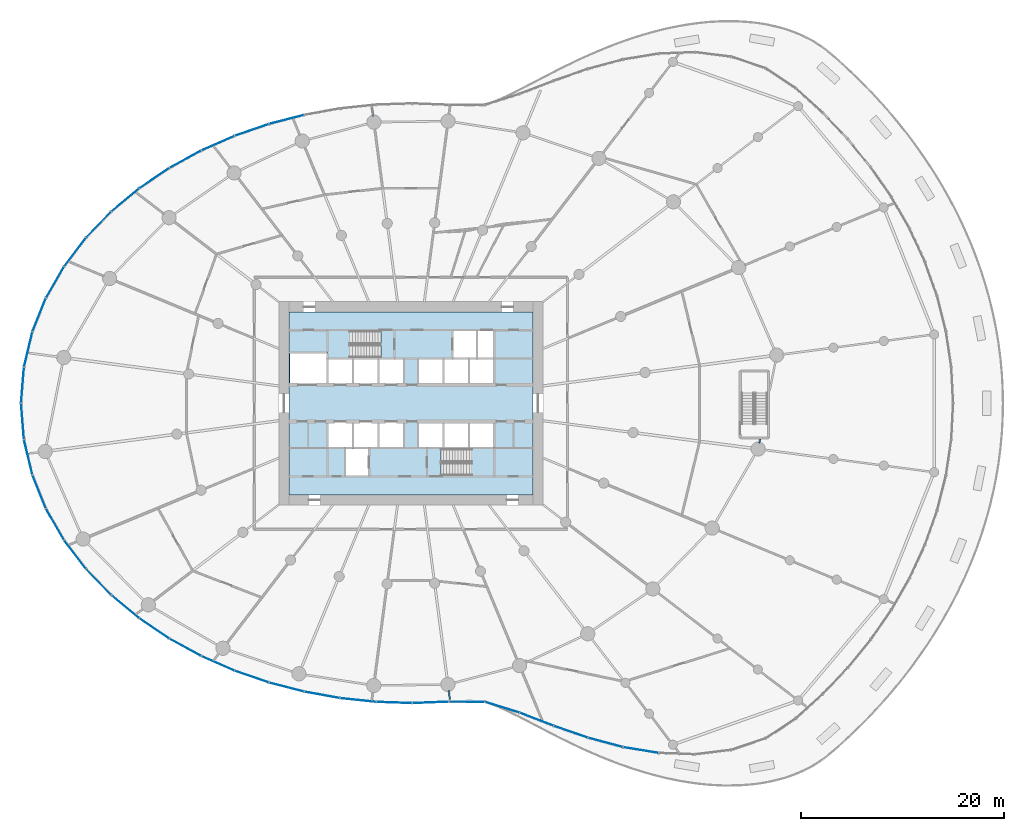
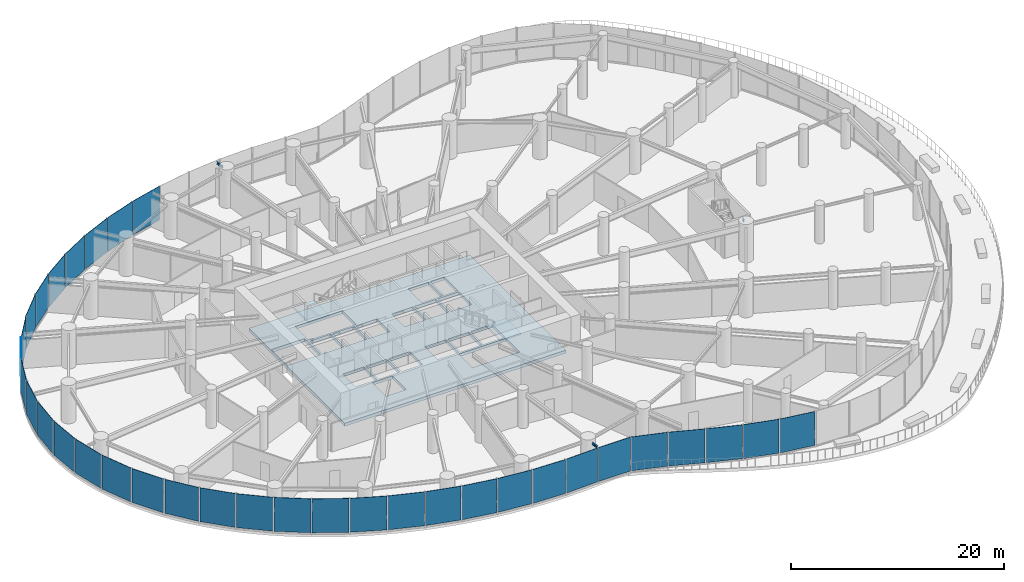
# One storey, part 11 of 24: 34 plates, 3 beams, 3 slabs, 8 elements without a shape of their own.
"""IFC4 building model written with IfcOpenShell, lengths in metres."""

from ifc_helpers import new_model, si_unit, direction, frame, origin, origin_2d, place, context, subcontext, project, spatial, line, indexed_curve, rectangle, i_section, outline, extrude, source, transform, mapped, material, layer, layer_set, material_profile, profile_set, type_object, element, aggregate, save


model = new_model("IFC4")

# Units and contexts
model_context = context("Model", 3, precision=1e-05, world=origin(), true_north=direction((0.0, 1.0)))
body_context = subcontext(model_context, "Body", "Model", "MODEL_VIEW")
ifc_project = project(units=[si_unit("LENGTHUNIT", "METRE"), si_unit("AREAUNIT", "SQUARE_METRE"), si_unit("VOLUMEUNIT", "CUBIC_METRE"), si_unit("PLANEANGLEUNIT", "RADIAN"), si_unit("MASSUNIT", "GRAM", prefix="KILO")], contexts=[model_context])

# Site, building, storey
site_placement = place(None, origin())
site = spatial("IfcSite", under=ifc_project, at=site_placement, CompositionType="ELEMENT")
building_placement = place(site_placement, origin())
building = spatial("IfcBuilding", under=site, at=building_placement, Name="Spindrift Exchange Tower", CompositionType="ELEMENT")
storey_placement = place(building_placement, frame((0.0, 0.0, 5.0)))
storey = spatial("IfcBuildingStorey", under=building, at=storey_placement, Name="L01", CompositionType="ELEMENT", Elevation=5.0)

# Beams
ifc_material_1 = material(Name="Steel Grade 300", Category="steel")
ifc_material_profile_1 = material_profile(ifc_material_1, i_section(OverallWidth=0.14599609375, OverallDepth=0.251953125, WebThickness=0.006103515625, FlangeThickness=0.008544921875, FilletRadius=0.011962890625, at=origin_2d()), Name="250UB31.4")
ifc_profile_set_1 = profile_set([ifc_material_profile_1], Name="Steel Grade 300")
beam_type_1 = type_object("IfcBeamType", Name="Cantilever Beam 250UB31.4 Steel Grade 300", PredefinedType="BEAM", material=ifc_profile_set_1)
shared_shape_1 = source(origin(), body_context, "Body", "SweptSolid", [
    extrude(i_section(OverallWidth=0.14599609375, OverallDepth=0.251953125, WebThickness=0.006103515625, FlangeThickness=0.008544921875, FilletRadius=0.011962890625, at=origin_2d()), origin(), (0.0, 0.0, 1.0), 0.892333984375),
])
for number, where, z_axis, x_axis, name in (
    (1, (48.28271484375, 76.236328125, 3.924072265625), (-0.130765879186, 0.99141327651, 0.0), (-0.99141327651, -0.130765879186, 0.0), "L01 cantilever beam R07T"),
    (2, (55.71728515625, 19.763671875, 3.924072265625), (0.130765879186, -0.99141327651, 0.0), (0.99141327651, 0.130765879186, 0.0), "L01 cantilever beam R19T"),
):
    element("IfcBeam", number, at=place(storey_placement, frame(where, z_axis=z_axis, x_axis=x_axis)), inside=storey, type_object=beam_type_1, Name=name, PredefinedType="BEAM", context=body_context, shape_type="MappedRepresentation", body=[
        mapped(shared_shape_1, transform((0.0, 0.0, 0.0), scale=1.0)),
    ])
ifc_material_profile_2 = material_profile(ifc_material_1, i_section(OverallWidth=0.14599609375, OverallDepth=0.251953125, WebThickness=0.006103515625, FlangeThickness=0.008544921875, FilletRadius=0.011962890625, at=origin_2d()), Name="250UB31.4")
ifc_profile_set_2 = profile_set([ifc_material_profile_2], Name="Steel Grade 300")
beam_type_2 = type_object("IfcBeamType", Name="Edge Beam 250UB31.4 Steel Grade 300", PredefinedType="SPANDREL", material=ifc_profile_set_2)
shared_shape_2 = source(origin(), body_context, "Body", "SweptSolid", [
    extrude(i_section(OverallWidth=0.14599609375, OverallDepth=0.251953125, WebThickness=0.006103515625, FlangeThickness=0.008544921875, FilletRadius=0.011962890625, at=origin_2d()), origin(), (0.0, 0.0, 1.0), 0.4169921875),
])
beam_placement = place(storey_placement, frame((86.27392578125, 44.071533203125, 3.924072265625), z_axis=(0.194426549489, 0.9809170795, 0.0), x_axis=(-0.9809170795, 0.194426549489, 0.0)))
element("IfcBeam", 3, at=beam_placement, inside=storey, type_object=beam_type_2, Name="L01 edge beam E24a", PredefinedType="SPANDREL", context=body_context, shape_type="MappedRepresentation", body=[
    mapped(shared_shape_2, transform((0.0, 0.0, 0.0), scale=1.0)),
])

# Slab
ifc_material_2 = material(Name="Concrete 50 MPa", Category="concrete")
ifc_layer_1 = layer(ifc_material_2, 0.35009765625)
ifc_layer_set_1 = layer_set([ifc_layer_1], Name="SL-CORE-FLOOR-350")
slab_type_1 = type_object("IfcSlabType", Name="SL-CORE-FLOOR-350", PredefinedType="FLOOR", material=ifc_layer_set_1)
slab_1_placement = place(storey_placement, frame((0.0, 0.0, -0.35009765625)))
element("IfcSlab", 4, at=slab_1_placement, inside=storey, type_object=slab_type_1, Name="L01 Core floor slab", PredefinedType="FLOOR", context=body_context, shape_type="SweptSolid", body=[
    extrude(outline(indexed_curve([(40.0, 39.0), (40.0, 57.0), (64.0, 57.0), (64.0, 39.0)], segments=[line(1, 2, 3, 4, 1)], self_intersect=False), holes=[indexed_curve([(47.800048828125, 43.5), (45.60009765625, 43.5), (45.60009765625, 40.89990234375), (47.800048828125, 40.89990234375)], segments=[line(1, 2, 3, 4, 1)], self_intersect=False), indexed_curve([(46.199951171875, 46.10009765625), (43.89990234375, 46.10009765625), (43.89990234375, 43.699951171875), (46.199951171875, 43.699951171875)], segments=[line(1, 2, 3, 4, 1)], self_intersect=False), indexed_curve([(48.699951171875, 46.10009765625), (46.39990234375, 46.10009765625), (46.39990234375, 43.699951171875), (48.699951171875, 43.699951171875)], segments=[line(1, 2, 3, 4, 1)], self_intersect=False), indexed_curve([(51.199951171875, 46.10009765625), (48.89990234375, 46.10009765625), (48.89990234375, 43.699951171875), (51.199951171875, 43.699951171875)], segments=[line(1, 2, 3, 4, 1)], self_intersect=False), indexed_curve([(46.199951171875, 52.300048828125), (43.89990234375, 52.300048828125), (43.89990234375, 49.89990234375), (46.199951171875, 49.89990234375)], segments=[line(1, 2, 3, 4, 1)], self_intersect=False), indexed_curve([(48.699951171875, 52.300048828125), (46.39990234375, 52.300048828125), (46.39990234375, 49.89990234375), (48.699951171875, 49.89990234375)], segments=[line(1, 2, 3, 4, 1)], self_intersect=False), indexed_curve([(51.199951171875, 52.300048828125), (48.89990234375, 52.300048828125), (48.89990234375, 49.89990234375), (51.199951171875, 49.89990234375)], segments=[line(1, 2, 3, 4, 1)], self_intersect=False), indexed_curve([(55.10009765625, 49.89990234375), (55.10009765625, 52.300048828125), (52.800048828125, 52.300048828125), (52.800048828125, 49.89990234375)], segments=[line(1, 2, 3, 4, 1)], self_intersect=False), indexed_curve([(43.699951171875, 49.89990234375), (43.699951171875, 52.89990234375), (40.10009765625, 52.89990234375), (40.10009765625, 49.89990234375)], segments=[line(1, 2, 3, 4, 1)], self_intersect=False), indexed_curve([(43.906005859375, 55.093994140625), (43.906005859375, 52.506103515625), (49.0439453125, 52.506103515625), (49.0439453125, 55.093994140625)], segments=[line(1, 2, 3, 4, 1)], self_intersect=False), indexed_curve([(60.093994140625, 40.906005859375), (60.093994140625, 43.493896484375), (54.9560546875, 43.493896484375), (54.9560546875, 40.906005859375)], segments=[line(1, 2, 3, 4, 1)], self_intersect=False), indexed_curve([(55.10009765625, 46.10009765625), (52.800048828125, 46.10009765625), (52.800048828125, 43.699951171875), (55.10009765625, 43.699951171875)], segments=[line(1, 2, 3, 4, 1)], self_intersect=False), indexed_curve([(57.60009765625, 43.699951171875), (57.60009765625, 46.10009765625), (55.300048828125, 46.10009765625), (55.300048828125, 43.699951171875)], segments=[line(1, 2, 3, 4, 1)], self_intersect=False), indexed_curve([(60.10009765625, 43.699951171875), (60.10009765625, 46.10009765625), (57.800048828125, 46.10009765625), (57.800048828125, 43.699951171875)], segments=[line(1, 2, 3, 4, 1)], self_intersect=False), indexed_curve([(57.60009765625, 52.300048828125), (55.300048828125, 52.300048828125), (55.300048828125, 49.89990234375), (57.60009765625, 49.89990234375)], segments=[line(1, 2, 3, 4, 1)], self_intersect=False), indexed_curve([(60.10009765625, 52.300048828125), (57.800048828125, 52.300048828125), (57.800048828125, 49.89990234375), (60.10009765625, 49.89990234375)], segments=[line(1, 2, 3, 4, 1)], self_intersect=False), indexed_curve([(58.39990234375, 52.5), (58.39990234375, 55.10009765625), (56.199951171875, 55.10009765625), (56.199951171875, 52.5)], segments=[line(1, 2, 3, 4, 1)], self_intersect=False), indexed_curve([(60.10009765625, 52.5), (60.10009765625, 55.10009765625), (58.60009765625, 55.10009765625), (58.60009765625, 52.5)], segments=[line(1, 2, 3, 4, 1)], self_intersect=False)]), origin(), (0.0, 0.0, 1.0), 0.35009765625),
])

# Stair, slab
stair_type = type_object("IfcStairType", Name="ST-1250-R183", PredefinedType="HALF_TURN_STAIR", material=ifc_material_2)
stair_1_placement = place(storey_placement, origin())
stair_1 = element("IfcStair", 5, at=stair_1_placement, inside=storey, type_object=stair_type, Name="L01 Exit stair ST1", PredefinedType="HALF_TURN_STAIR")
ifc_layer_2 = layer(ifc_material_2, 0.199951171875)
ifc_layer_set_2 = layer_set([ifc_layer_2], Name="SL-LANDING")
slab_type_2 = type_object("IfcSlabType", Name="SL-LANDING", PredefinedType="LANDING", material=ifc_layer_set_2)
slab_2_placement = place(storey_placement, frame((0.0, 0.0, 2.0)))
slab_2 = element("IfcSlab", 6, at=slab_2_placement, type_object=slab_type_2, Name="ST1 landing 1", PredefinedType="LANDING", context=body_context, shape_type="SweptSolid", body=[
    extrude(outline(indexed_curve([(46.050048828125, 52.39990234375), (43.800048828125, 52.39990234375), (43.800048828125, 55.199951171875), (46.050048828125, 55.199951171875)], segments=[line(1, 2, 3, 4, 1)], self_intersect=False)), origin(), (0.0, 0.0, 1.0), 0.199951171875),
])
aggregate(stair_1, [slab_2])

stair_2_placement = place(storey_placement, origin())
stair_2 = element("IfcStair", 7, at=stair_2_placement, inside=storey, type_object=stair_type, Name="L01 Exit stair ST2", PredefinedType="HALF_TURN_STAIR")
slab_3_placement = place(storey_placement, frame((0.0, 0.0, 2.0)))
slab_3 = element("IfcSlab", 8, at=slab_3_placement, type_object=slab_type_2, Name="ST2 landing 1", PredefinedType="LANDING", context=body_context, shape_type="SweptSolid", body=[
    extrude(outline(indexed_curve([(57.949951171875, 43.60009765625), (60.199951171875, 43.60009765625), (60.199951171875, 40.800048828125), (57.949951171875, 40.800048828125)], segments=[line(1, 2, 3, 4, 1)], self_intersect=False)), origin(), (0.0, 0.0, 1.0), 0.199951171875),
])
aggregate(stair_2, [slab_3])

# Curtain wall, plate
ifc_material_3 = material(Name="Fritted laminated glass with bronze frame", Category="glass")
ifc_layer_3 = layer(ifc_material_3, 0.219970703125)
ifc_layer_set_3 = layer_set([ifc_layer_3], Name="PODIUM BRONZE GLAZED WALL")
curtain_wall_type = type_object("IfcCurtainWallType", Name="PODIUM BRONZE GLAZED WALL", PredefinedType="NOTDEFINED", material=ifc_layer_set_3)
curtain_wall_1_placement = place(storey_placement, origin())
curtain_wall_1 = element("IfcCurtainWall", 9, at=curtain_wall_1_placement, inside=storey, type_object=curtain_wall_type, Name="L01 Podium Bronze Glazed Wall run 5", PredefinedType="NOTDEFINED")
ifc_material_4 = material(Name="Bronze fritted laminated glass, close frit", Category="glass")
ifc_layer_4 = layer(ifc_material_4, 0.0400390625)
ifc_layer_set_4 = layer_set([ifc_layer_4], Name="PODIUM BRONZE GLAZED WALL PANEL CLOSE FRIT 300")
plate_type_1 = type_object("IfcPlateType", Name="PODIUM BRONZE GLAZED WALL PANEL CLOSE FRIT 300", PredefinedType="CURTAIN_PANEL", material=ifc_layer_set_4)
shared_shape_3 = source(origin(), body_context, "Body", "SweptSolid", [
    extrude(rectangle(XDim=3.48583984375, YDim=0.0400390625, at=origin_2d()), origin(), (0.0, 0.0, 1.0), 3.889892578125),
])
plate_1_placement = place(storey_placement, frame((23.899658203125, 68.012939453125, 0.16015625), z_axis=(0.0, 0.0, 1.0), x_axis=(-0.769130805694, -0.639091389187, 0.0)))
plate_1 = element("IfcPlate", 10, at=plate_1_placement, type_object=plate_type_1, Name="L01 panel CW-P.30", PredefinedType="CURTAIN_PANEL", context=body_context, shape_type="MappedRepresentation", body=[
    mapped(shared_shape_3, transform((0.0, 0.0, 0.0), scale=1.0)),
])

curtain_wall_2_placement = place(storey_placement, origin())
curtain_wall_2 = element("IfcCurtainWall", 11, at=curtain_wall_2_placement, inside=storey, type_object=curtain_wall_type, Name="L01 Podium Bronze Glazed Wall run 8", PredefinedType="NOTDEFINED")
plate_2_placement = place(storey_placement, frame((23.899658203125, 27.987060546875, 0.16015625), z_axis=(0.0, 0.0, 1.0), x_axis=(0.769130805694, -0.639091389187, 0.0)))
plate_2 = element("IfcPlate", 12, at=plate_2_placement, type_object=plate_type_1, Name="L01 panel CW-P.43", PredefinedType="CURTAIN_PANEL", context=body_context, shape_type="MappedRepresentation", body=[
    mapped(shared_shape_3, transform((0.0, 0.0, 0.0), scale=1.0)),
])

# Plate
shared_shape_4 = source(origin(), body_context, "Body", "SweptSolid", [
    extrude(rectangle(XDim=3.486083984375, YDim=0.0400390625, at=origin_2d()), origin(), (0.0, 0.0, 1.0), 3.889892578125),
])
plate_3_placement = place(storey_placement, frame((26.75732421875, 70.1552734375, 0.16015625), z_axis=(0.0, 0.0, 1.0), x_axis=(-0.829117594074, -0.559074248375, 0.0)))
plate_3 = element("IfcPlate", 13, at=plate_3_placement, type_object=plate_type_1, Name="L01 panel CW-P.29", PredefinedType="CURTAIN_PANEL", context=body_context, shape_type="MappedRepresentation", body=[
    mapped(shared_shape_4, transform((0.0, 0.0, 0.0), scale=1.0)),
])

plate_4_placement = place(storey_placement, frame((26.75732421875, 25.8447265625, 0.16015625), z_axis=(0.0, 0.0, 1.0), x_axis=(0.829117594074, -0.559074248375, 0.0)))
plate_4 = element("IfcPlate", 14, at=plate_4_placement, type_object=plate_type_1, Name="L01 panel CW-P.44", PredefinedType="CURTAIN_PANEL", context=body_context, shape_type="MappedRepresentation", body=[
    mapped(shared_shape_4, transform((0.0, 0.0, 0.0), scale=1.0)),
])

shared_shape_5 = source(origin(), body_context, "Body", "SweptSolid", [
    extrude(rectangle(XDim=3.486328125, YDim=0.0400390625, at=origin_2d()), origin(), (0.0, 0.0, 1.0), 3.889892578125),
])
plate_5_placement = place(storey_placement, frame((29.80859375, 72.0126953125, 0.16015625), z_axis=(0.0, 0.0, 1.0), x_axis=(-0.877392463765, -0.479773347038, 0.0)))
plate_5 = element("IfcPlate", 15, at=plate_5_placement, type_object=plate_type_1, Name="L01 panel CW-P.28", PredefinedType="CURTAIN_PANEL", context=body_context, shape_type="MappedRepresentation", body=[
    mapped(shared_shape_5, transform((0.0, 0.0, 0.0), scale=1.0)),
])

plate_6_placement = place(storey_placement, frame((29.80859375, 23.9873046875, 0.16015625), z_axis=(0.0, 0.0, 1.0), x_axis=(0.877392463765, -0.479773347038, 0.0)))
plate_6 = element("IfcPlate", 16, at=plate_6_placement, type_object=plate_type_1, Name="L01 panel CW-P.45", PredefinedType="CURTAIN_PANEL", context=body_context, shape_type="MappedRepresentation", body=[
    mapped(shared_shape_5, transform((0.0, 0.0, 0.0), scale=1.0)),
])

ifc_layer_5 = layer(ifc_material_4, 0.0400390625)
ifc_layer_set_5 = layer_set([ifc_layer_5], Name="PODIUM BRONZE GLAZED WALL PANEL CLOSE FRIT 540")
plate_type_2 = type_object("IfcPlateType", Name="PODIUM BRONZE GLAZED WALL PANEL CLOSE FRIT 540", PredefinedType="CURTAIN_PANEL", material=ifc_layer_set_5)
shared_shape_6 = source(origin(), body_context, "Body", "SweptSolid", [
    extrude(rectangle(XDim=3.48681640625, YDim=0.0400390625, at=origin_2d()), origin(), (0.0, 0.0, 1.0), 3.889892578125),
])
plate_7_placement = place(storey_placement, frame((39.7646484375, 75.922607421875, 0.16015625), z_axis=(0.0, 0.0, 1.0), x_axis=(-0.968026479474, -0.250848031758, 0.0)))
plate_7 = element("IfcPlate", 17, at=plate_7_placement, type_object=plate_type_2, Name="L01 panel CW-P.25", PredefinedType="CURTAIN_PANEL", context=body_context, shape_type="MappedRepresentation", body=[
    mapped(shared_shape_6, transform((0.0, 0.0, 0.0), scale=1.0)),
])

plate_8_placement = place(storey_placement, frame((39.7646484375, 20.077392578125, 0.16015625), z_axis=(0.0, 0.0, 1.0), x_axis=(0.968026479474, -0.250848031758, 0.0)))
plate_8 = element("IfcPlate", 18, at=plate_8_placement, type_object=plate_type_2, Name="L01 panel CW-P.48", PredefinedType="CURTAIN_PANEL", context=body_context, shape_type="MappedRepresentation", body=[
    mapped(shared_shape_6, transform((0.0, 0.0, 0.0), scale=1.0)),
])

# Curtain wall, plate
curtain_wall_3_placement = place(storey_placement, origin())
curtain_wall_3 = element("IfcCurtainWall", 19, at=curtain_wall_3_placement, inside=storey, type_object=curtain_wall_type, Name="L01 Podium Bronze Glazed Wall run 9", PredefinedType="NOTDEFINED")
plate_9_placement = place(storey_placement, frame((53.9345703125, 18.5703125, 0.16015625), z_axis=(0.0, 0.0, 1.0), x_axis=(0.99924566483, 0.038834280197, 0.0)))
plate_9 = element("IfcPlate", 20, at=plate_9_placement, type_object=plate_type_2, Name="L01 panel CW-P.52", PredefinedType="CURTAIN_PANEL", context=body_context, shape_type="MappedRepresentation", body=[
    mapped(shared_shape_6, transform((0.0, 0.0, 0.0), scale=1.0)),
])

# Curtain wall, plates
curtain_wall_4_placement = place(storey_placement, origin())
curtain_wall_4 = element("IfcCurtainWall", 21, at=curtain_wall_4_placement, inside=storey, type_object=curtain_wall_type, Name="L01 Podium Bronze Glazed Wall run 10", PredefinedType="NOTDEFINED")
shared_shape_7 = source(origin(), body_context, "Body", "SweptSolid", [
    extrude(rectangle(XDim=3.4853515625, YDim=0.0400390625, at=origin_2d()), origin(), (0.0, 0.0, 1.0), 3.889892578125),
])
plate_10_placement = place(storey_placement, frame((74.62646484375, 13.884521484375, 0.16015625), z_axis=(0.0, 0.0, 1.0), x_axis=(0.986933448224, -0.161128423243, 0.0)))
plate_10 = element("IfcPlate", 22, at=plate_10_placement, type_object=plate_type_1, Name="L01 panel CW-P.58", PredefinedType="CURTAIN_PANEL", context=body_context, shape_type="MappedRepresentation", body=[
    mapped(shared_shape_7, transform((0.0, 0.0, 0.0), scale=1.0)),
])
ifc_layer_6 = layer(ifc_material_4, 0.0400390625)
ifc_layer_set_6 = layer_set([ifc_layer_6], Name="PODIUM BRONZE GLAZED WALL PANEL CLOSE FRIT 420")
plate_type_3 = type_object("IfcPlateType", Name="PODIUM BRONZE GLAZED WALL PANEL CLOSE FRIT 420", PredefinedType="CURTAIN_PANEL", material=ifc_layer_set_6)
shared_shape_8 = source(origin(), body_context, "Body", "SweptSolid", [
    extrude(rectangle(XDim=3.486328125, YDim=0.0400390625, at=origin_2d()), origin(), (0.0, 0.0, 1.0), 3.889892578125),
])
plate_11_placement = place(storey_placement, frame((71.134765625, 14.635009765625, 0.16015625), z_axis=(0.0, 0.0, 1.0), x_axis=(0.965994454414, -0.258562785491, 0.0)))
plate_11 = element("IfcPlate", 23, at=plate_11_placement, type_object=plate_type_3, Name="L01 panel CW-P.57", PredefinedType="CURTAIN_PANEL", context=body_context, shape_type="MappedRepresentation", body=[
    mapped(shared_shape_8, transform((0.0, 0.0, 0.0), scale=1.0)),
])
shared_shape_9 = source(origin(), body_context, "Body", "SweptSolid", [
    extrude(rectangle(XDim=3.487548828125, YDim=0.0400390625, at=origin_2d()), origin(), (0.0, 0.0, 1.0), 3.889892578125),
])
plate_12_placement = place(storey_placement, frame((64.360595703125, 16.91748046875, 0.16015625), z_axis=(0.0, 0.0, 1.0), x_axis=(0.933126213422, -0.35954898112, 0.0)))
plate_12 = element("IfcPlate", 24, at=plate_12_placement, type_object=plate_type_1, Name="L01 panel CW-P.55", PredefinedType="CURTAIN_PANEL", context=body_context, shape_type="MappedRepresentation", body=[
    mapped(shared_shape_9, transform((0.0, 0.0, 0.0), scale=1.0)),
])

# Plate
shared_shape_10 = source(origin(), body_context, "Body", "SweptSolid", [
    extrude(rectangle(XDim=3.483642578125, YDim=0.0400390625, at=origin_2d()), origin(), (0.0, 0.0, 1.0), 3.889892578125),
])
plate_13_placement = place(storey_placement, frame((60.986083984375, 18.094482421875, 0.16015625), z_axis=(0.0, 0.0, 1.0), x_axis=(0.954324320709, -0.298772640821, 0.0)))
plate_13 = element("IfcPlate", 25, at=plate_13_placement, type_object=plate_type_2, Name="L01 panel CW-P.54", PredefinedType="CURTAIN_PANEL", context=body_context, shape_type="MappedRepresentation", body=[
    mapped(shared_shape_10, transform((0.0, 0.0, 0.0), scale=1.0)),
])

shared_shape_11 = source(origin(), body_context, "Body", "SweptSolid", [
    extrude(rectangle(XDim=3.46923828125, YDim=0.0400390625, at=origin_2d()), origin(), (0.0, 0.0, 1.0), 3.889892578125),
])
plate_14_placement = place(storey_placement, frame((57.501220703125, 18.634033203125, 0.16015625), z_axis=(0.0, 0.0, 1.0), x_axis=(0.999994871427, -0.003202673702, 0.0)))
plate_14 = element("IfcPlate", 26, at=plate_14_placement, type_object=plate_type_1, Name="L01 panel CW-P.53", PredefinedType="CURTAIN_PANEL", context=body_context, shape_type="MappedRepresentation", body=[
    mapped(shared_shape_11, transform((0.0, 0.0, 0.0), scale=1.0)),
])

shared_shape_12 = source(origin(), body_context, "Body", "SweptSolid", [
    extrude(rectangle(XDim=3.48681640625, YDim=0.0400390625, at=origin_2d()), origin(), (0.0, 0.0, 1.0), 3.889892578125),
])
plate_15_placement = place(storey_placement, frame((43.255859375, 19.311279296875, 0.16015625), z_axis=(0.0, 0.0, 1.0), x_axis=(0.984123822775, -0.177483242721, 0.0)))
plate_15 = element("IfcPlate", 27, at=plate_15_placement, type_object=plate_type_1, Name="L01 panel CW-P.49", PredefinedType="CURTAIN_PANEL", context=body_context, shape_type="MappedRepresentation", body=[
    mapped(shared_shape_12, transform((0.0, 0.0, 0.0), scale=1.0)),
])

plate_16_placement = place(storey_placement, frame((50.360107421875, 18.559814453125, 0.16015625), z_axis=(0.0, 0.0, 1.0), x_axis=(0.999457482979, -0.032935387007, 0.0)))
plate_16 = element("IfcPlate", 28, at=plate_16_placement, type_object=plate_type_1, Name="L01 panel CW-P.51", PredefinedType="CURTAIN_PANEL", context=body_context, shape_type="MappedRepresentation", body=[
    mapped(shared_shape_12, transform((0.0, 0.0, 0.0), scale=1.0)),
])

shared_shape_13 = source(origin(), body_context, "Body", "SweptSolid", [
    extrude(rectangle(XDim=3.48681640625, YDim=0.0400390625, at=origin_2d()), origin(), (0.0, 0.0, 1.0), 3.889892578125),
])
plate_17_placement = place(storey_placement, frame((46.794189453125, 18.806396484375, 0.16015625), z_axis=(0.0, 0.0, 1.0), x_axis=(0.994476557934, -0.104958923965, 0.0)))
plate_17 = element("IfcPlate", 29, at=plate_17_placement, type_object=plate_type_3, Name="L01 panel CW-P.50", PredefinedType="CURTAIN_PANEL", context=body_context, shape_type="MappedRepresentation", body=[
    mapped(shared_shape_13, transform((0.0, 0.0, 0.0), scale=1.0)),
])

aggregate(curtain_wall_3, [plate_15, plate_17, plate_16, plate_9, plate_14, plate_13])

shared_shape_14 = source(origin(), body_context, "Body", "SweptSolid", [
    extrude(rectangle(XDim=3.486572265625, YDim=0.0400390625, at=origin_2d()), origin(), (0.0, 0.0, 1.0), 3.889892578125),
])
plate_18_placement = place(storey_placement, frame((36.343017578125, 74.89111328125, 0.16015625), z_axis=(0.0, 0.0, 1.0), x_axis=(-0.94539577211, -0.325924583419, 0.0)))
plate_18 = element("IfcPlate", 30, at=plate_18_placement, type_object=plate_type_1, Name="L01 panel CW-P.26", PredefinedType="CURTAIN_PANEL", context=body_context, shape_type="MappedRepresentation", body=[
    mapped(shared_shape_14, transform((0.0, 0.0, 0.0), scale=1.0)),
])

shared_shape_15 = source(origin(), body_context, "Body", "SweptSolid", [
    extrude(rectangle(XDim=3.486328125, YDim=0.0400390625, at=origin_2d()), origin(), (0.0, 0.0, 1.0), 3.889892578125),
])
plate_19_placement = place(storey_placement, frame((33.014892578125, 73.589599609375, 0.16015625), z_axis=(0.0, 0.0, 1.0), x_axis=(-0.915651368483, -0.401973346623, 0.0)))
plate_19 = element("IfcPlate", 31, at=plate_19_placement, type_object=plate_type_2, Name="L01 panel CW-P.27", PredefinedType="CURTAIN_PANEL", context=body_context, shape_type="MappedRepresentation", body=[
    mapped(shared_shape_15, transform((0.0, 0.0, 0.0), scale=1.0)),
])

aggregate(curtain_wall_1, [plate_7, plate_18, plate_19, plate_5, plate_3, plate_1])

plate_20_placement = place(storey_placement, frame((33.014892578125, 22.410400390625, 0.16015625), z_axis=(0.0, 0.0, 1.0), x_axis=(0.915651368483, -0.401973346623, 0.0)))
plate_20 = element("IfcPlate", 32, at=plate_20_placement, type_object=plate_type_2, Name="L01 panel CW-P.46", PredefinedType="CURTAIN_PANEL", context=body_context, shape_type="MappedRepresentation", body=[
    mapped(shared_shape_15, transform((0.0, 0.0, 0.0), scale=1.0)),
])

# Curtain wall, plates
curtain_wall_5_placement = place(storey_placement, origin())
curtain_wall_5 = element("IfcCurtainWall", 33, at=curtain_wall_5_placement, inside=storey, type_object=curtain_wall_type, Name="L01 Podium Bronze Glazed Wall run 6", PredefinedType="NOTDEFINED")
shared_shape_16 = source(origin(), body_context, "Body", "SweptSolid", [
    extrude(rectangle(XDim=3.485595703125, YDim=0.0400390625, at=origin_2d()), origin(), (0.0, 0.0, 1.0), 3.889892578125),
])
plate_21_placement = place(storey_placement, frame((21.281005859375, 65.5859375, 0.16015625), z_axis=(0.0, 0.0, 1.0), x_axis=(-0.695589357406, -0.718439590963, 0.0)))
plate_21 = element("IfcPlate", 34, at=plate_21_placement, type_object=plate_type_2, Name="L01 panel CW-P.31", PredefinedType="CURTAIN_PANEL", context=body_context, shape_type="MappedRepresentation", body=[
    mapped(shared_shape_16, transform((0.0, 0.0, 0.0), scale=1.0)),
])
shared_shape_17 = source(origin(), body_context, "Body", "SweptSolid", [
    extrude(rectangle(XDim=3.485107421875, YDim=0.0400390625, at=origin_2d()), origin(), (0.0, 0.0, 1.0), 3.889892578125),
])
plate_22_placement = place(storey_placement, frame((18.95556640625, 62.87841796875, 0.16015625), z_axis=(0.0, 0.0, 1.0), x_axis=(-0.605170334324, -0.796096015851, 0.0)))
plate_22 = element("IfcPlate", 35, at=plate_22_placement, type_object=plate_type_2, Name="L01 panel CW-P.32", PredefinedType="CURTAIN_PANEL", context=body_context, shape_type="MappedRepresentation", body=[
    mapped(shared_shape_17, transform((0.0, 0.0, 0.0), scale=1.0)),
])
shared_shape_18 = source(origin(), body_context, "Body", "SweptSolid", [
    extrude(rectangle(XDim=3.48486328125, YDim=0.0400390625, at=origin_2d()), origin(), (0.0, 0.0, 1.0), 3.889892578125),
])
plate_23_placement = place(storey_placement, frame((16.982666015625, 59.906005859375, 0.16015625), z_axis=(0.0, 0.0, 1.0), x_axis=(-0.498519512844, -0.866878477823, 0.0)))
plate_23 = element("IfcPlate", 36, at=plate_23_placement, type_object=plate_type_1, Name="L01 panel CW-P.33", PredefinedType="CURTAIN_PANEL", context=body_context, shape_type="MappedRepresentation", body=[
    mapped(shared_shape_18, transform((0.0, 0.0, 0.0), scale=1.0)),
])
shared_shape_19 = source(origin(), body_context, "Body", "SweptSolid", [
    extrude(rectangle(XDim=3.484375, YDim=0.0400390625, at=origin_2d()), origin(), (0.0, 0.0, 1.0), 3.889892578125),
])
plate_24_placement = place(storey_placement, frame((15.42578125, 56.697998046875, 0.16015625), z_axis=(0.0, 0.0, 1.0), x_axis=(-0.372605577324, -0.927989807997, 0.0)))
plate_24 = element("IfcPlate", 37, at=plate_24_placement, type_object=plate_type_3, Name="L01 panel CW-P.34", PredefinedType="CURTAIN_PANEL", context=body_context, shape_type="MappedRepresentation", body=[
    mapped(shared_shape_19, transform((0.0, 0.0, 0.0), scale=1.0)),
])

# Curtain wall, plate
curtain_wall_6_placement = place(storey_placement, origin())
curtain_wall_6 = element("IfcCurtainWall", 38, at=curtain_wall_6_placement, inside=storey, type_object=curtain_wall_type, Name="L01 Podium Bronze Glazed Wall run 7", PredefinedType="NOTDEFINED")
plate_25_placement = place(storey_placement, frame((15.42578125, 39.302001953125, 0.16015625), z_axis=(0.0, 0.0, 1.0), x_axis=(0.372605577324, -0.927989807997, 0.0)))
plate_25 = element("IfcPlate", 39, at=plate_25_placement, type_object=plate_type_3, Name="L01 panel CW-P.39", PredefinedType="CURTAIN_PANEL", context=body_context, shape_type="MappedRepresentation", body=[
    mapped(shared_shape_19, transform((0.0, 0.0, 0.0), scale=1.0)),
])

# Plate
shared_shape_20 = source(origin(), body_context, "Body", "SweptSolid", [
    extrude(rectangle(XDim=3.48388671875, YDim=0.0400390625, at=origin_2d()), origin(), (0.0, 0.0, 1.0), 3.889892578125),
])
plate_26_placement = place(storey_placement, frame((14.346435546875, 53.301025390625, 0.16015625), z_axis=(0.0, 0.0, 1.0), x_axis=(-0.231399836758, -0.972858733603, 0.0)))
plate_26 = element("IfcPlate", 40, at=plate_26_placement, type_object=plate_type_1, Name="L01 panel CW-P.35", PredefinedType="CURTAIN_PANEL", context=body_context, shape_type="MappedRepresentation", body=[
    mapped(shared_shape_20, transform((0.0, 0.0, 0.0), scale=1.0)),
])

plate_27_placement = place(storey_placement, frame((14.346435546875, 42.698974609375, 0.16015625), z_axis=(0.0, 0.0, 1.0), x_axis=(0.231399836758, -0.972858733603, 0.0)))
plate_27 = element("IfcPlate", 41, at=plate_27_placement, type_object=plate_type_1, Name="L01 panel CW-P.38", PredefinedType="CURTAIN_PANEL", context=body_context, shape_type="MappedRepresentation", body=[
    mapped(shared_shape_20, transform((0.0, 0.0, 0.0), scale=1.0)),
])

shared_shape_21 = source(origin(), body_context, "Body", "SweptSolid", [
    extrude(rectangle(XDim=3.48388671875, YDim=0.0400390625, at=origin_2d()), origin(), (0.0, 0.0, 1.0), 3.889892578125),
])
plate_28_placement = place(storey_placement, frame((13.79150390625, 49.78125, 0.16015625), z_axis=(0.0, 0.0, 1.0), x_axis=(-0.07915853585, -0.996862039704, 0.0)))
plate_28 = element("IfcPlate", 42, at=plate_28_placement, type_object=plate_type_2, Name="L01 panel CW-P.36", PredefinedType="CURTAIN_PANEL", context=body_context, shape_type="MappedRepresentation", body=[
    mapped(shared_shape_21, transform((0.0, 0.0, 0.0), scale=1.0)),
])

aggregate(curtain_wall_5, [plate_21, plate_22, plate_23, plate_24, plate_26, plate_28])

shared_shape_22 = source(origin(), body_context, "Body", "SweptSolid", [
    extrude(rectangle(XDim=3.48388671875, YDim=0.0400390625, at=origin_2d()), origin(), (0.0, 0.0, 1.0), 3.889892578125),
])
plate_29_placement = place(storey_placement, frame((13.79150390625, 46.21875, 0.16015625), z_axis=(0.0, 0.0, 1.0), x_axis=(0.07915853585, -0.996862039704, 0.0)))
plate_29 = element("IfcPlate", 43, at=plate_29_placement, type_object=plate_type_3, Name="L01 panel CW-P.37", PredefinedType="CURTAIN_PANEL", context=body_context, shape_type="MappedRepresentation", body=[
    mapped(shared_shape_22, transform((0.0, 0.0, 0.0), scale=1.0)),
])

shared_shape_23 = source(origin(), body_context, "Body", "SweptSolid", [
    extrude(rectangle(XDim=3.48486328125, YDim=0.0400390625, at=origin_2d()), origin(), (0.0, 0.0, 1.0), 3.889892578125),
])
plate_30_placement = place(storey_placement, frame((16.982666015625, 36.093994140625, 0.16015625), z_axis=(0.0, 0.0, 1.0), x_axis=(0.498519512844, -0.866878477823, 0.0)))
plate_30 = element("IfcPlate", 44, at=plate_30_placement, type_object=plate_type_3, Name="L01 panel CW-P.40", PredefinedType="CURTAIN_PANEL", context=body_context, shape_type="MappedRepresentation", body=[
    mapped(shared_shape_23, transform((0.0, 0.0, 0.0), scale=1.0)),
])

shared_shape_24 = source(origin(), body_context, "Body", "SweptSolid", [
    extrude(rectangle(XDim=3.485107421875, YDim=0.0400390625, at=origin_2d()), origin(), (0.0, 0.0, 1.0), 3.889892578125),
])
plate_31_placement = place(storey_placement, frame((18.95556640625, 33.12158203125, 0.16015625), z_axis=(0.0, 0.0, 1.0), x_axis=(0.605170334324, -0.796096015851, 0.0)))
plate_31 = element("IfcPlate", 45, at=plate_31_placement, type_object=plate_type_3, Name="L01 panel CW-P.41", PredefinedType="CURTAIN_PANEL", context=body_context, shape_type="MappedRepresentation", body=[
    mapped(shared_shape_24, transform((0.0, 0.0, 0.0), scale=1.0)),
])

shared_shape_25 = source(origin(), body_context, "Body", "SweptSolid", [
    extrude(rectangle(XDim=3.485595703125, YDim=0.0400390625, at=origin_2d()), origin(), (0.0, 0.0, 1.0), 3.889892578125),
])
plate_32_placement = place(storey_placement, frame((21.281005859375, 30.4140625, 0.16015625), z_axis=(0.0, 0.0, 1.0), x_axis=(0.695589357406, -0.718439590963, 0.0)))
plate_32 = element("IfcPlate", 46, at=plate_32_placement, type_object=plate_type_1, Name="L01 panel CW-P.42", PredefinedType="CURTAIN_PANEL", context=body_context, shape_type="MappedRepresentation", body=[
    mapped(shared_shape_25, transform((0.0, 0.0, 0.0), scale=1.0)),
])

aggregate(curtain_wall_6, [plate_29, plate_27, plate_25, plate_30, plate_31, plate_32])

shared_shape_26 = source(origin(), body_context, "Body", "SweptSolid", [
    extrude(rectangle(XDim=3.486572265625, YDim=0.0400390625, at=origin_2d()), origin(), (0.0, 0.0, 1.0), 3.889892578125),
])
plate_33_placement = place(storey_placement, frame((36.343017578125, 21.10888671875, 0.16015625), z_axis=(0.0, 0.0, 1.0), x_axis=(0.94539577211, -0.325924583419, 0.0)))
plate_33 = element("IfcPlate", 47, at=plate_33_placement, type_object=plate_type_2, Name="L01 panel CW-P.47", PredefinedType="CURTAIN_PANEL", context=body_context, shape_type="MappedRepresentation", body=[
    mapped(shared_shape_26, transform((0.0, 0.0, 0.0), scale=1.0)),
])

aggregate(curtain_wall_2, [plate_2, plate_4, plate_6, plate_20, plate_33, plate_8])

shared_shape_27 = source(origin(), body_context, "Body", "SweptSolid", [
    extrude(rectangle(XDim=3.487060546875, YDim=0.0400390625, at=origin_2d()), origin(), (0.0, 0.0, 1.0), 3.889892578125),
])
plate_34_placement = place(storey_placement, frame((67.718505859375, 15.685791015625, 0.16015625), z_axis=(0.0, 0.0, 1.0), x_axis=(0.94431321497, -0.329047947924, 0.0)))
plate_34 = element("IfcPlate", 48, at=plate_34_placement, type_object=plate_type_2, Name="L01 panel CW-P.56", PredefinedType="CURTAIN_PANEL", context=body_context, shape_type="MappedRepresentation", body=[
    mapped(shared_shape_27, transform((0.0, 0.0, 0.0), scale=1.0)),
])

aggregate(curtain_wall_4, [plate_12, plate_34, plate_11, plate_10])

save(model, "model.ifc")
